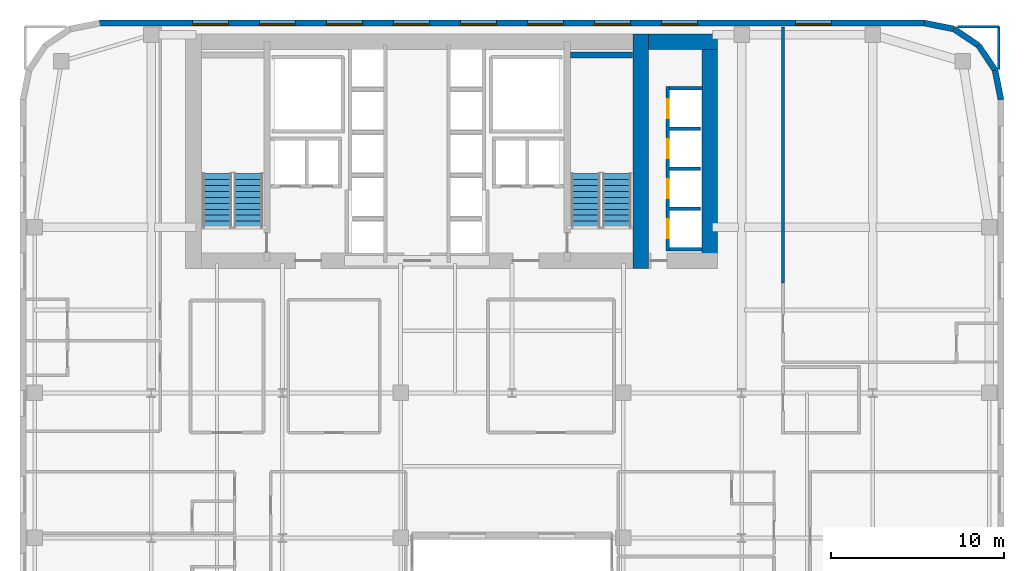
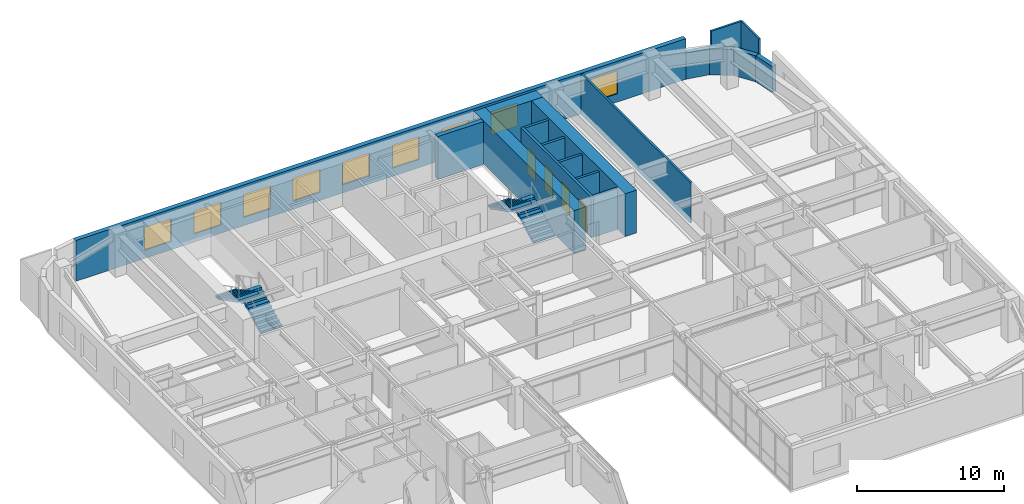
# One storey, part 15 of 16: 18 walls, 9 windows, 4 doors, 4 stair flights, 13 openings, 2 elements without a shape of their own.
"""IFC4 building model written with IfcOpenShell, lengths in metres."""

from ifc_helpers import new_model, si_unit, direction, frame, frame_2d, origin, place, context, subcontext, project, spatial, polyline, rectangle, outline, extrude, source, transform, mapped, material, layer, layer_set, type_object, type_shapes, element, fill, aggregate, save


model = new_model("IFC4")

# Units and contexts
model_context = context("Model", 3, precision=1e-05, world=origin(), true_north=direction((0.0, 1.0)))
body_context = subcontext(model_context, "Body", "Model", "MODEL_VIEW")
ifc_project = project(units=[si_unit("LENGTHUNIT", "METRE"), si_unit("AREAUNIT", "SQUARE_METRE"), si_unit("VOLUMEUNIT", "CUBIC_METRE"), si_unit("PLANEANGLEUNIT", "RADIAN"), si_unit("MASSUNIT", "GRAM", prefix="KILO")], contexts=[model_context])

# Site, building, storey
site_placement = place(None, origin())
site = spatial("IfcSite", under=ifc_project, at=site_placement, CompositionType="ELEMENT")
building_placement = place(site_placement, origin())
building = spatial("IfcBuilding", under=site, at=building_placement, Name="Tolvann Quenvar Hotel", CompositionType="ELEMENT")
storey_placement = place(building_placement, frame((0.0, 0.0, 85.25)))
storey = spatial("IfcBuildingStorey", under=building, at=storey_placement, Name="L21", CompositionType="ELEMENT", Elevation=85.25)

# Walls
ifc_material_1 = material(Name="Concrete S80 (80 MPa)", Category="concrete")
ifc_layer_1 = layer(ifc_material_1, 0.89990234375)
ifc_layer_set_1 = layer_set([ifc_layer_1], Name="Concrete S80 (80 MPa)")
wall_type_1 = type_object("IfcWallType", Name="WALL_CORE_900", PredefinedType="SHEAR", material=ifc_layer_set_1)
wall_1_placement = place(storey_placement, frame((35.949951171875, 31.60009765625, 0.0), z_axis=(0.0, 0.0, 1.0), x_axis=(0.0, 1.0, 0.0)))
element("IfcWall", 1, at=wall_1_placement, inside=storey, type_object=wall_type_1, Name="Rear Core E Shear Wall (L21)", PredefinedType="SHEAR", context=body_context, shape_type="SweptSolid", body=[
    extrude(rectangle(XDim=13.599853515625, YDim=0.89990234375, at=frame_2d((6.7998046875, 0.0))), origin(), (0.0, 0.0, 1.0), 3.550048828125),
])
wall_2_placement = place(storey_placement, frame((36.39990234375, 44.75, 0.0), z_axis=(0.0, 0.0, 1.0), x_axis=(1.0, 0.0, 0.0)))
element("IfcWall", 2, at=wall_2_placement, inside=storey, type_object=wall_type_1, Name="Core East Annex Shear Wall ANN-N (L21)", PredefinedType="SHEAR", context=body_context, shape_type="SweptSolid", body=[
    extrude(rectangle(XDim=4.0, YDim=0.89990234375, at=frame_2d((2.0, 0.0))), origin(), (0.0, 0.0, 1.0), 3.550048828125),
])
wall_3_placement = place(storey_placement, frame((39.949951171875, 31.60009765625, 0.0), z_axis=(0.0, 0.0, 1.0), x_axis=(0.0, 1.0, 0.0)))
element("IfcWall", 3, at=wall_3_placement, inside=storey, type_object=wall_type_1, Name="Core East Annex Shear Wall ANN-E (L21)", PredefinedType="SHEAR", context=body_context, shape_type="SweptSolid", body=[
    extrude(rectangle(XDim=13.599853515625, YDim=0.89990234375, at=frame_2d((6.7998046875, 0.0))), origin(), (0.0, 0.0, 1.0), 3.550048828125),
])
ifc_material_2 = material(Name="Concrete S65 (65 MPa)", Category="concrete")
ifc_layer_2 = layer(ifc_material_2, 0.35009765625)
ifc_layer_set_2 = layer_set([ifc_layer_2], Name="Concrete S65 (65 MPa)")
wall_type_2 = type_object("IfcWallType", Name="WALL_CORE_INT_350", PredefinedType="SHEAR", material=ifc_layer_set_2)
wall_4_placement = place(storey_placement, frame((31.8798828125, 43.97509765625, 0.0), z_axis=(0.0, 0.0, 1.0), x_axis=(1.0, 0.0, 0.0)))
element("IfcWall", 4, at=wall_4_placement, inside=storey, type_object=wall_type_2, Name="Core Stair North Closing Shear Wall STC2-N (L21)", PredefinedType="SHEAR", context=body_context, shape_type="SweptSolid", body=[
    extrude(rectangle(XDim=3.60009765625, YDim=0.35009765625, at=frame_2d((1.800048828125, 0.0))), origin(), (0.0, 0.0, 1.0), 3.550048828125),
])
ifc_material_3 = material(Name="Kiln-fired red and buff architectural clay brickwork and terracotta masonry", Category="masonry")
ifc_layer_3 = layer(ifc_material_3, 0.35009765625)
ifc_layer_set_3 = layer_set([ifc_layer_3], Name="Kiln-fired red and buff architectural clay brickwork and terracotta masonry")
wall_type_3 = type_object("IfcWallType", Name="WALL_EXT_BRICK_350", PredefinedType="SOLIDWALL", material=ifc_layer_set_3)
wall_5_placement = place(storey_placement, frame((56.824951171875, 41.3828125, 0.0), z_axis=(0.0, 0.0, 1.0), x_axis=(-0.195011420161, 0.980800971659, 0.0)))
element("IfcWall", 5, at=wall_5_placement, inside=storey, type_object=wall_type_3, Name="Exterior Chicago Brick Wall L21-E14", PredefinedType="SOLIDWALL", context=body_context, shape_type="SweptSolid", body=[
    extrude(rectangle(XDim=1.74267578125, YDim=0.35009765625, at=frame_2d((0.871337890625, 0.0))), origin(), (0.0, 0.0, 1.0), 2.159912109375),
])
for number, where, z_axis, x_axis, name in (
    (6, (56.485107421875, 43.092041015625, 0.0), (0.0, 0.0, 1.0), (-0.55554893791, 0.831483840845, 0.0), "Exterior Chicago Brick Wall L21-E15"),
    (7, (55.526611328125, 44.526611328125, 0.0), (0.0, 0.0, 1.0), (-0.831483840845, 0.55554893791, 0.0), "Exterior Chicago Brick Wall L21-E16"),
):
    element("IfcWall", number, at=place(storey_placement, frame(where, z_axis=z_axis, x_axis=x_axis)), inside=storey, type_object=wall_type_3, Name=name, PredefinedType="SOLIDWALL", context=body_context, shape_type="SweptSolid", body=[
        extrude(rectangle(XDim=1.725341796875, YDim=0.35009765625, at=frame_2d((0.86279296875, 0.0))), origin(), (0.0, 0.0, 1.0), 2.159912109375),
    ])
wall_6_placement = place(storey_placement, frame((54.092041015625, 45.485107421875, 0.0), z_axis=(0.0, 0.0, 1.0), x_axis=(-0.980800971659, 0.195011420161, 0.0)))
element("IfcWall", 8, at=wall_6_placement, inside=storey, type_object=wall_type_3, Name="Exterior Chicago Brick Wall L21-E17", PredefinedType="SOLIDWALL", context=body_context, shape_type="SweptSolid", body=[
    extrude(rectangle(XDim=1.74267578125, YDim=0.35009765625, at=frame_2d((0.871337890625, 0.0))), origin(), (0.0, 0.0, 1.0), 2.159912109375),
])

# Wall, openings, windows
wall_7_placement = place(storey_placement, frame((52.3828125, 45.824951171875, 0.0), z_axis=(0.0, 0.0, 1.0), x_axis=(-1.0, 0.0, 0.0)))
wall_7 = element("IfcWall", 9, at=wall_7_placement, inside=storey, type_object=wall_type_3, Name="Exterior Chicago Brick Wall L21-E18", PredefinedType="SOLIDWALL", context=body_context, shape_type="SweptSolid", body=[
    extrude(rectangle(XDim=47.765625, YDim=0.35009765625, at=frame_2d((23.8828125, 0.0))), origin(), (0.0, 0.0, 1.0), 3.3701171875),
])
opening_1_placement = place(wall_7_placement, frame((5.37109375, 0.0, 0.679931640625)))
opening_1 = element("IfcOpeningElement", 10, at=opening_1_placement, cuts=wall_7, Name="Opening W-02", PredefinedType="OPENING", context=body_context, shape_type="SweptSolid", body=[
    extrude(rectangle(XDim=2.10009765625, YDim=1.89990234375, at=frame_2d((1.050048828125, 0.949951171875))), frame((0.0, 0.18505859375, 0.0), z_axis=(0.0, -1.0, 0.0), x_axis=(1.0, 0.0, 0.0)), (0.0, 0.0, 1.0), 0.3701171875),
])
opening_2_placement = place(wall_7_placement, frame((13.132080078125, 0.0, 0.679931640625)))
opening_2 = element("IfcOpeningElement", 11, at=opening_2_placement, cuts=wall_7, Name="Opening W-02", PredefinedType="OPENING", context=body_context, shape_type="SweptSolid", body=[
    extrude(rectangle(XDim=2.10009765625, YDim=1.89990234375, at=frame_2d((1.050048828125, 0.949951171875))), frame((0.0, 0.18505859375, 0.0), z_axis=(0.0, -1.0, 0.0), x_axis=(1.0, 0.0, 0.0)), (0.0, 0.0, 1.0), 0.3701171875),
])
opening_3_placement = place(wall_7_placement, frame((17.011962890625, 0.0, 0.679931640625)))
opening_3 = element("IfcOpeningElement", 12, at=opening_3_placement, cuts=wall_7, Name="Opening W-02", PredefinedType="OPENING", context=body_context, shape_type="SweptSolid", body=[
    extrude(rectangle(XDim=2.10009765625, YDim=1.89990234375, at=frame_2d((1.050048828125, 0.949951171875))), frame((0.0, 0.18505859375, 0.0), z_axis=(0.0, -1.0, 0.0), x_axis=(1.0, 0.0, 0.0)), (0.0, 0.0, 1.0), 0.3701171875),
])
opening_4_placement = place(wall_7_placement, frame((20.89306640625, 0.0, 0.679931640625)))
opening_4 = element("IfcOpeningElement", 13, at=opening_4_placement, cuts=wall_7, Name="Opening W-02", PredefinedType="OPENING", context=body_context, shape_type="SweptSolid", body=[
    extrude(rectangle(XDim=2.10009765625, YDim=1.89990234375, at=frame_2d((1.050048828125, 0.949951171875))), frame((0.0, 0.18505859375, 0.0), z_axis=(0.0, -1.0, 0.0), x_axis=(1.0, 0.0, 0.0)), (0.0, 0.0, 1.0), 0.3701171875),
])
opening_5_placement = place(wall_7_placement, frame((24.77294921875, 0.0, 0.679931640625)))
opening_5 = element("IfcOpeningElement", 14, at=opening_5_placement, cuts=wall_7, Name="Opening W-02", PredefinedType="OPENING", context=body_context, shape_type="SweptSolid", body=[
    extrude(rectangle(XDim=2.10009765625, YDim=1.89990234375, at=frame_2d((1.050048828125, 0.949951171875))), frame((0.0, 0.18505859375, 0.0), z_axis=(0.0, -1.0, 0.0), x_axis=(1.0, 0.0, 0.0)), (0.0, 0.0, 1.0), 0.3701171875),
])
opening_6_placement = place(wall_7_placement, frame((28.654052734375, 0.0, 0.679931640625)))
opening_6 = element("IfcOpeningElement", 15, at=opening_6_placement, cuts=wall_7, Name="Opening W-02", PredefinedType="OPENING", context=body_context, shape_type="SweptSolid", body=[
    extrude(rectangle(XDim=2.10009765625, YDim=1.89990234375, at=frame_2d((1.050048828125, 0.949951171875))), frame((0.0, 0.18505859375, 0.0), z_axis=(0.0, -1.0, 0.0), x_axis=(1.0, 0.0, 0.0)), (0.0, 0.0, 1.0), 0.3701171875),
])
opening_7_placement = place(wall_7_placement, frame((32.533935546875, 0.0, 0.679931640625)))
opening_7 = element("IfcOpeningElement", 16, at=opening_7_placement, cuts=wall_7, Name="Opening W-02", PredefinedType="OPENING", context=body_context, shape_type="SweptSolid", body=[
    extrude(rectangle(XDim=2.10009765625, YDim=1.89990234375, at=frame_2d((1.050048828125, 0.949951171875))), frame((0.0, 0.18505859375, 0.0), z_axis=(0.0, -1.0, 0.0), x_axis=(1.0, 0.0, 0.0)), (0.0, 0.0, 1.0), 0.3701171875),
])
opening_8_placement = place(wall_7_placement, frame((36.4140625, 0.0, 0.679931640625)))
opening_8 = element("IfcOpeningElement", 17, at=opening_8_placement, cuts=wall_7, Name="Opening W-02", PredefinedType="OPENING", context=body_context, shape_type="SweptSolid", body=[
    extrude(rectangle(XDim=2.10009765625, YDim=1.89990234375, at=frame_2d((1.050048828125, 0.949951171875))), frame((0.0, 0.18505859375, 0.0), z_axis=(0.0, -1.0, 0.0), x_axis=(1.0, 0.0, 0.0)), (0.0, 0.0, 1.0), 0.3701171875),
])
opening_9_placement = place(wall_7_placement, frame((40.294921875, 0.0, 0.679931640625)))
opening_9 = element("IfcOpeningElement", 18, at=opening_9_placement, cuts=wall_7, Name="Opening W-02", PredefinedType="OPENING", context=body_context, shape_type="SweptSolid", body=[
    extrude(rectangle(XDim=2.10009765625, YDim=1.89990234375, at=frame_2d((1.050048828125, 0.949951171875))), frame((0.0, 0.18505859375, 0.0), z_axis=(0.0, -1.0, 0.0), x_axis=(1.0, 0.0, 0.0)), (0.0, 0.0, 1.0), 0.3701171875),
])
ifc_material_4 = material(Name="Thermally broken bronze-anodised aluminium frame with double low-E glazing", Category="aluminium")
window_type = type_object("IfcWindowType", Name="WIN_CHI_2100x2050", PartitioningType="TRIPLE_PANEL_HORIZONTAL", PredefinedType="WINDOW", material=ifc_material_4)
shared_shape_1 = source(origin(), body_context, "Body", "SweptSolid", [
    extrude(rectangle(XDim=2.10009765625, YDim=1.89990234375, at=frame_2d((1.050048828125, 0.949951171875))), frame((0.0, 0.090087890625, 0.0), z_axis=(0.0, -1.0, 0.0), x_axis=(1.0, 0.0, 0.0)), (0.0, 0.0, 1.0), 0.06005859375),
])
type_shapes(window_type, [shared_shape_1])
window_1_placement = place(opening_1_placement, origin())
window_1 = element("IfcWindow", 19, at=window_1_placement, inside=storey, type_object=window_type, Name="Chicago Window W-02 (EW-L21-E18-W01)", OverallHeight=1.89990234375, OverallWidth=2.10009765625, PartitioningType="TRIPLE_PANEL_HORIZONTAL", PredefinedType="WINDOW", context=body_context, shape_type="MappedRepresentation", body=[
    mapped(shared_shape_1, transform((0.0, 0.0, 0.0), x_axis=(1.0, 0.0, 0.0), y_axis=(0.0, 1.0, 0.0), z_axis=(0.0, 0.0, 1.0), scale=1.0)),
])
fill(opening_1, window_1)
window_2_placement = place(opening_2_placement, origin())
window_2 = element("IfcWindow", 20, at=window_2_placement, inside=storey, type_object=window_type, Name="Chicago Window W-02 (EW-L21-E18-W02)", OverallHeight=1.89990234375, OverallWidth=2.10009765625, PartitioningType="TRIPLE_PANEL_HORIZONTAL", PredefinedType="WINDOW", context=body_context, shape_type="MappedRepresentation", body=[
    mapped(shared_shape_1, transform((0.0, 0.0, 0.0), x_axis=(1.0, 0.0, 0.0), y_axis=(0.0, 1.0, 0.0), z_axis=(0.0, 0.0, 1.0), scale=1.0)),
])
fill(opening_2, window_2)
window_3_placement = place(opening_3_placement, origin())
window_3 = element("IfcWindow", 21, at=window_3_placement, inside=storey, type_object=window_type, Name="Chicago Window W-02 (EW-L21-E18-W03)", OverallHeight=1.89990234375, OverallWidth=2.10009765625, PartitioningType="TRIPLE_PANEL_HORIZONTAL", PredefinedType="WINDOW", context=body_context, shape_type="MappedRepresentation", body=[
    mapped(shared_shape_1, transform((0.0, 0.0, 0.0), x_axis=(1.0, 0.0, 0.0), y_axis=(0.0, 1.0, 0.0), z_axis=(0.0, 0.0, 1.0), scale=1.0)),
])
fill(opening_3, window_3)
window_4_placement = place(opening_4_placement, origin())
window_4 = element("IfcWindow", 22, at=window_4_placement, inside=storey, type_object=window_type, Name="Chicago Window W-02 (EW-L21-E18-W04)", OverallHeight=1.89990234375, OverallWidth=2.10009765625, PartitioningType="TRIPLE_PANEL_HORIZONTAL", PredefinedType="WINDOW", context=body_context, shape_type="MappedRepresentation", body=[
    mapped(shared_shape_1, transform((0.0, 0.0, 0.0), x_axis=(1.0, 0.0, 0.0), y_axis=(0.0, 1.0, 0.0), z_axis=(0.0, 0.0, 1.0), scale=1.0)),
])
fill(opening_4, window_4)
window_5_placement = place(opening_5_placement, origin())
window_5 = element("IfcWindow", 23, at=window_5_placement, inside=storey, type_object=window_type, Name="Chicago Window W-02 (EW-L21-E18-W05)", OverallHeight=1.89990234375, OverallWidth=2.10009765625, PartitioningType="TRIPLE_PANEL_HORIZONTAL", PredefinedType="WINDOW", context=body_context, shape_type="MappedRepresentation", body=[
    mapped(shared_shape_1, transform((0.0, 0.0, 0.0), x_axis=(1.0, 0.0, 0.0), y_axis=(0.0, 1.0, 0.0), z_axis=(0.0, 0.0, 1.0), scale=1.0)),
])
fill(opening_5, window_5)
window_6_placement = place(opening_6_placement, origin())
window_6 = element("IfcWindow", 24, at=window_6_placement, inside=storey, type_object=window_type, Name="Chicago Window W-02 (EW-L21-E18-W06)", OverallHeight=1.89990234375, OverallWidth=2.10009765625, PartitioningType="TRIPLE_PANEL_HORIZONTAL", PredefinedType="WINDOW", context=body_context, shape_type="MappedRepresentation", body=[
    mapped(shared_shape_1, transform((0.0, 0.0, 0.0), x_axis=(1.0, 0.0, 0.0), y_axis=(0.0, 1.0, 0.0), z_axis=(0.0, 0.0, 1.0), scale=1.0)),
])
fill(opening_6, window_6)
window_7_placement = place(opening_7_placement, origin())
window_7 = element("IfcWindow", 25, at=window_7_placement, inside=storey, type_object=window_type, Name="Chicago Window W-02 (EW-L21-E18-W07)", OverallHeight=1.89990234375, OverallWidth=2.10009765625, PartitioningType="TRIPLE_PANEL_HORIZONTAL", PredefinedType="WINDOW", context=body_context, shape_type="MappedRepresentation", body=[
    mapped(shared_shape_1, transform((0.0, 0.0, 0.0), x_axis=(1.0, 0.0, 0.0), y_axis=(0.0, 1.0, 0.0), z_axis=(0.0, 0.0, 1.0), scale=1.0)),
])
fill(opening_7, window_7)
window_8_placement = place(opening_8_placement, origin())
window_8 = element("IfcWindow", 26, at=window_8_placement, inside=storey, type_object=window_type, Name="Chicago Window W-02 (EW-L21-E18-W08)", OverallHeight=1.89990234375, OverallWidth=2.10009765625, PartitioningType="TRIPLE_PANEL_HORIZONTAL", PredefinedType="WINDOW", context=body_context, shape_type="MappedRepresentation", body=[
    mapped(shared_shape_1, transform((0.0, 0.0, 0.0), x_axis=(1.0, 0.0, 0.0), y_axis=(0.0, 1.0, 0.0), z_axis=(0.0, 0.0, 1.0), scale=1.0)),
])
fill(opening_8, window_8)
window_9_placement = place(opening_9_placement, origin())
window_9 = element("IfcWindow", 27, at=window_9_placement, inside=storey, type_object=window_type, Name="Chicago Window W-02 (EW-L21-E18-W09)", OverallHeight=1.89990234375, OverallWidth=2.10009765625, PartitioningType="TRIPLE_PANEL_HORIZONTAL", PredefinedType="WINDOW", context=body_context, shape_type="MappedRepresentation", body=[
    mapped(shared_shape_1, transform((0.0, 0.0, 0.0), x_axis=(1.0, 0.0, 0.0), y_axis=(0.0, 1.0, 0.0), z_axis=(0.0, 0.0, 1.0), scale=1.0)),
])
fill(opening_9, window_9)

# Walls
ifc_material_5 = material(Name="Acoustic twin-stud fire-rated gypsum plasterboard partition")
ifc_layer_4 = layer(ifc_material_5, 0.14990234375)
ifc_layer_set_4 = layer_set([ifc_layer_4], Name="Acoustic twin-stud fire-rated gypsum plasterboard partition")
wall_type_4 = type_object("IfcWallType", Name="WALL_PART_SUITE_150", PredefinedType="PARTITIONING", material=ifc_layer_set_4)
wall_8_placement = place(storey_placement, frame((56.699951171875, 43.135009765625, 0.0), z_axis=(0.0, 0.0, 1.0), x_axis=(0.0, 1.0, 0.0)))
element("IfcWall", 28, at=wall_8_placement, inside=storey, type_object=wall_type_4, Name="Interior Partition PT-SPC-L21-RM-NE01-E4", PredefinedType="PARTITIONING", context=body_context, shape_type="SweptSolid", body=[
    extrude(rectangle(XDim=2.485107421875, YDim=0.14990234375, at=frame_2d((1.24267578125, 0.0))), origin(), (0.0, 0.0, 1.0), 3.3701171875),
])
wall_9_placement = place(storey_placement, frame((54.303955078125, 45.6201171875, 0.0), z_axis=(0.0, 0.0, 1.0), x_axis=(1.0, 0.0, 0.0)))
element("IfcWall", 29, at=wall_9_placement, inside=storey, type_object=wall_type_4, Name="Interior Partition PT-SPC-L21-RM-NE01-E5", PredefinedType="PARTITIONING", context=body_context, shape_type="SweptSolid", body=[
    extrude(rectangle(XDim=2.39599609375, YDim=0.14990234375, at=frame_2d((1.197998046875, 0.0))), origin(), (0.0, 0.0, 1.0), 3.3701171875),
])
wall_10_placement = place(storey_placement, frame((44.199951171875, 30.77001953125, 0.0), z_axis=(0.0, 0.0, 1.0), x_axis=(0.0, 1.0, 0.0)))
element("IfcWall", 30, at=wall_10_placement, inside=storey, type_object=wall_type_4, Name="Interior Partition PT-SPC-L21-RM-NE01-E6", PredefinedType="PARTITIONING", context=body_context, shape_type="SweptSolid", body=[
    extrude(rectangle(XDim=14.824951171875, YDim=0.14990234375, at=frame_2d((7.41259765625, 0.0))), origin(), (0.0, 0.0, 1.0), 3.3701171875),
])

# Wall, openings, doors
ifc_material_6 = material(Name="Concrete N40 (40 MPa)", Category="concrete")
ifc_layer_5 = layer(ifc_material_6, 0.199951171875)
ifc_layer_set_5 = layer_set([ifc_layer_5], Name="Concrete N40 (40 MPa)")
wall_type_5 = type_object("IfcWallType", Name="WALL_SHAFT_200", PredefinedType="SOLIDWALL", material=ifc_layer_set_5)
wall_11_placement = place(storey_placement, frame((37.530029296875, 32.610107421875, 0.0), z_axis=(0.0, 0.0, 1.0), x_axis=(0.0, 1.0, 0.0)))
wall_11 = element("IfcWall", 31, at=wall_11_placement, inside=storey, type_object=wall_type_5, Name="Lift Bank W37.6C1 Hoistway Front Wall (L21)", PredefinedType="SOLIDWALL", context=body_context, shape_type="SweptSolid", body=[
    extrude(rectangle(XDim=9.539794921875, YDim=0.199951171875, at=frame_2d((4.77001953125, 0.0))), origin(), (0.0, 0.0, 1.0), 3.3701171875),
])
opening_10_placement = place(wall_11_placement, frame((0.739990234375, 0.0, 0.0)))
opening_10 = element("IfcOpeningElement", 32, at=opening_10_placement, cuts=wall_11, Name="Opening LD-01", PredefinedType="OPENING", context=body_context, shape_type="SweptSolid", body=[
    extrude(rectangle(XDim=1.10009765625, YDim=2.1201171875, at=frame_2d((0.550048828125, 1.06005859375))), frame((0.0, 0.10986328125, 0.0), z_axis=(0.0, -1.0, 0.0), x_axis=(1.0, 0.0, 0.0)), (0.0, 0.0, 1.0), 0.219970703125),
])
opening_11_placement = place(wall_11_placement, frame((3.06005859375, 0.0, 0.0)))
opening_11 = element("IfcOpeningElement", 33, at=opening_11_placement, cuts=wall_11, Name="Opening LD-01", PredefinedType="OPENING", context=body_context, shape_type="SweptSolid", body=[
    extrude(rectangle(XDim=1.10009765625, YDim=2.1201171875, at=frame_2d((0.550048828125, 1.06005859375))), frame((0.0, 0.10986328125, 0.0), z_axis=(0.0, -1.0, 0.0), x_axis=(1.0, 0.0, 0.0)), (0.0, 0.0, 1.0), 0.219970703125),
])
opening_12_placement = place(wall_11_placement, frame((5.3798828125, 0.0, 0.0)))
opening_12 = element("IfcOpeningElement", 34, at=opening_12_placement, cuts=wall_11, Name="Opening LD-01", PredefinedType="OPENING", context=body_context, shape_type="SweptSolid", body=[
    extrude(rectangle(XDim=1.10009765625, YDim=2.1201171875, at=frame_2d((0.550048828125, 1.06005859375))), frame((0.0, 0.10986328125, 0.0), z_axis=(0.0, -1.0, 0.0), x_axis=(1.0, 0.0, 0.0)), (0.0, 0.0, 1.0), 0.219970703125),
])
opening_13_placement = place(wall_11_placement, frame((7.699951171875, 0.0, 0.0)))
opening_13 = element("IfcOpeningElement", 35, at=opening_13_placement, cuts=wall_11, Name="Opening LD-01", PredefinedType="OPENING", context=body_context, shape_type="SweptSolid", body=[
    extrude(rectangle(XDim=1.10009765625, YDim=2.1201171875, at=frame_2d((0.550048828125, 1.06005859375))), frame((0.0, 0.10986328125, 0.0), z_axis=(0.0, -1.0, 0.0), x_axis=(1.0, 0.0, 0.0)), (0.0, 0.0, 1.0), 0.219970703125),
])
ifc_material_7 = material(Name="Brushed 316 stainless steel automatic sliding lift landing door", Category="steel")
door_type = type_object("IfcDoorType", Name="DOOR_LIFT_SLIDE_1100", OperationType="NOTDEFINED", PredefinedType="DOOR", material=ifc_material_7)
shared_shape_2 = source(origin(), body_context, "Body", "SweptSolid", [
    extrude(rectangle(XDim=1.10009765625, YDim=2.1201171875, at=frame_2d((0.550048828125, 1.06005859375))), frame((0.0, 0.02490234375, 0.0), z_axis=(0.0, -1.0, 0.0), x_axis=(1.0, 0.0, 0.0)), (0.0, 0.0, 1.0), 0.050048828125),
])
type_shapes(door_type, [shared_shape_2])
door_1_placement = place(opening_10_placement, origin())
door_1 = element("IfcDoor", 36, at=door_1_placement, inside=storey, type_object=door_type, Name="Lift PL-1 Sliding Landing Door (L21)", OperationType="SLIDING_TO_LEFT", OverallHeight=2.1201171875, OverallWidth=1.10009765625, PredefinedType="DOOR", context=body_context, shape_type="MappedRepresentation", body=[
    mapped(shared_shape_2, transform((0.0, 0.0, 0.0), x_axis=(1.0, 0.0, 0.0), y_axis=(0.0, 1.0, 0.0), z_axis=(0.0, 0.0, 1.0), scale=1.0)),
])
fill(opening_10, door_1)
door_2_placement = place(opening_11_placement, origin())
door_2 = element("IfcDoor", 37, at=door_2_placement, inside=storey, type_object=door_type, Name="Lift PL-2 Sliding Landing Door (L21)", OperationType="SLIDING_TO_RIGHT", OverallHeight=2.1201171875, OverallWidth=1.10009765625, PredefinedType="DOOR", context=body_context, shape_type="MappedRepresentation", body=[
    mapped(shared_shape_2, transform((0.0, 0.0, 0.0), x_axis=(1.0, 0.0, 0.0), y_axis=(0.0, 1.0, 0.0), z_axis=(0.0, 0.0, 1.0), scale=1.0)),
])
fill(opening_11, door_2)
door_3_placement = place(opening_12_placement, origin())
door_3 = element("IfcDoor", 38, at=door_3_placement, inside=storey, type_object=door_type, Name="Lift PL-3 Sliding Landing Door (L21)", OperationType="SLIDING_TO_LEFT", OverallHeight=2.1201171875, OverallWidth=1.10009765625, PredefinedType="DOOR", context=body_context, shape_type="MappedRepresentation", body=[
    mapped(shared_shape_2, transform((0.0, 0.0, 0.0), x_axis=(1.0, 0.0, 0.0), y_axis=(0.0, 1.0, 0.0), z_axis=(0.0, 0.0, 1.0), scale=1.0)),
])
fill(opening_12, door_3)
door_4_placement = place(opening_13_placement, origin())
door_4 = element("IfcDoor", 39, at=door_4_placement, inside=storey, type_object=door_type, Name="Lift PL-4 Sliding Landing Door (L21)", OperationType="SLIDING_TO_RIGHT", OverallHeight=2.1201171875, OverallWidth=1.10009765625, PredefinedType="DOOR", context=body_context, shape_type="MappedRepresentation", body=[
    mapped(shared_shape_2, transform((0.0, 0.0, 0.0), x_axis=(1.0, 0.0, 0.0), y_axis=(0.0, 1.0, 0.0), z_axis=(0.0, 0.0, 1.0), scale=1.0)),
])
fill(opening_13, door_4)

# Walls
for number, where, z_axis, x_axis, name in (
    (40, (37.6298828125, 32.7099609375, 0.0), (0.0, 0.0, 1.0), (1.0, 0.0, 0.0), "Lift Bank W37.6C1 Hoistway Cheek Wall 1 (L21)"),
    (41, (37.6298828125, 42.050048828125, 0.0), (0.0, 0.0, 1.0), (1.0, 0.0, 0.0), "Lift Bank W37.6C1 Hoistway Cheek Wall 2 (L21)"),
):
    element("IfcWall", number, at=place(storey_placement, frame(where, z_axis=z_axis, x_axis=x_axis)), inside=storey, type_object=wall_type_5, Name=name, PredefinedType="SOLIDWALL", context=body_context, shape_type="SweptSolid", body=[
        extrude(rectangle(XDim=1.8701171875, YDim=0.199951171875, at=frame_2d((0.93505859375, 0.0))), origin(), (0.0, 0.0, 1.0), 3.3701171875),
    ])
for number, where, z_axis, x_axis, name in (
    (42, (37.6298828125, 35.06005859375, 0.0), (0.0, 0.0, 1.0), (1.0, 0.0, 0.0), "Lift Bank W37.6C1 Divider Wall 1 (L21)"),
    (43, (37.6298828125, 37.3798828125, 0.0), (0.0, 0.0, 1.0), (1.0, 0.0, 0.0), "Lift Bank W37.6C1 Divider Wall 2 (L21)"),
    (44, (37.6298828125, 39.699951171875, 0.0), (0.0, 0.0, 1.0), (1.0, 0.0, 0.0), "Lift Bank W37.6C1 Divider Wall 3 (L21)"),
):
    element("IfcWall", number, at=place(storey_placement, frame(where, z_axis=z_axis, x_axis=x_axis)), inside=storey, type_object=wall_type_5, Name=name, PredefinedType="SOLIDWALL", context=body_context, shape_type="SweptSolid", body=[
        extrude(rectangle(XDim=1.800048828125, YDim=0.199951171875, at=frame_2d((0.89990234375, 0.0))), origin(), (0.0, 0.0, 1.0), 3.3701171875),
    ])

# Stair, stair flights
stair_type = type_object("IfcStairType", Name="STAIR", PredefinedType="HALF_TURN_STAIR", material=ifc_material_6)
stair_1_placement = place(storey_placement, origin())
stair_1 = element("IfcStair", 45, at=stair_1_placement, inside=storey, type_object=stair_type, Name="L21 ST-C1", PredefinedType="HALF_TURN_STAIR")
stair_flight_type = type_object("IfcStairFlightType", Name="STAIR_FLIGHT", PredefinedType="STRAIGHT", material=ifc_material_6)
stair_flight_1_placement = place(storey_placement, frame((13.22509765625, 34.0, 0.0), z_axis=(0.0, 0.0, 1.0), x_axis=(0.0, 1.0, 0.0)))
stair_flight_1 = element("IfcStairFlight", 46, at=stair_flight_1_placement, type_object=stair_flight_type, Name="ST-C1 flight 1", NumberOfRisers=10, NumberOfTreads=9, PredefinedType="STRAIGHT", RiserHeight=0.1775, TreadLength=0.345, context=body_context, shape_type="SweptSolid", body=[
    extrude(outline(polyline([(0.0, 0.0), (0.0, 0.177490234375), (0.344970703125, 0.177490234375), (0.344970703125, 0.35498046875), (0.68994140625, 0.35498046875), (0.68994140625, 0.532470703125), (1.034912109375, 0.532470703125), (1.034912109375, 0.7099609375), (1.3798828125, 0.7099609375), (1.3798828125, 0.887451171875), (1.72509765625, 0.887451171875), (1.72509765625, 1.06494140625), (2.070068359375, 1.06494140625), (2.070068359375, 1.242431640625), (2.4150390625, 1.242431640625), (2.4150390625, 1.419921875), (2.760009765625, 1.419921875), (2.760009765625, 1.597412109375), (3.10498046875, 1.597412109375), (3.10498046875, 1.77490234375), (3.10498046875, 1.428955078125), (0.32763671875, 0.0), (0.0, 0.0)])), frame((0.0, 0.824951171875, 0.0), z_axis=(0.0, -1.0, 0.0), x_axis=(1.0, 0.0, 0.0)), (0.0, 0.0, 1.0), 1.64990234375),
])
stair_flight_2_placement = place(storey_placement, frame((11.425048828125, 37.10498046875, 1.77490234375), z_axis=(0.0, 0.0, 1.0), x_axis=(0.0, -1.0, 0.0)))
stair_flight_2 = element("IfcStairFlight", 47, at=stair_flight_2_placement, type_object=stair_flight_type, Name="ST-C1 flight 2", NumberOfRisers=10, NumberOfTreads=9, PredefinedType="STRAIGHT", RiserHeight=0.1775, TreadLength=0.345, context=body_context, shape_type="SweptSolid", body=[
    extrude(outline(polyline([(0.0, 0.0), (0.0, 0.177490234375), (0.344970703125, 0.177490234375), (0.344970703125, 0.35498046875), (0.68994140625, 0.35498046875), (0.68994140625, 0.532470703125), (1.034912109375, 0.532470703125), (1.034912109375, 0.7099609375), (1.3798828125, 0.7099609375), (1.3798828125, 0.887451171875), (1.72509765625, 0.887451171875), (1.72509765625, 1.06494140625), (2.070068359375, 1.06494140625), (2.070068359375, 1.242431640625), (2.4150390625, 1.242431640625), (2.4150390625, 1.419921875), (2.760009765625, 1.419921875), (2.760009765625, 1.597412109375), (3.10498046875, 1.597412109375), (3.10498046875, 1.77490234375), (3.10498046875, 1.428955078125), (0.32763671875, 0.0), (0.0, 0.0)])), frame((0.0, 0.824951171875, 0.0), z_axis=(0.0, -1.0, 0.0), x_axis=(1.0, 0.0, 0.0)), (0.0, 0.0, 1.0), 1.64990234375),
])
aggregate(stair_1, [stair_flight_1, stair_flight_2])

stair_2_placement = place(storey_placement, origin())
stair_2 = element("IfcStair", 48, at=stair_2_placement, inside=storey, type_object=stair_type, Name="L21 ST-C2", PredefinedType="HALF_TURN_STAIR")
stair_flight_3_placement = place(storey_placement, frame((34.574951171875, 34.0, 0.0), z_axis=(0.0, 0.0, 1.0), x_axis=(0.0, 1.0, 0.0)))
stair_flight_3 = element("IfcStairFlight", 49, at=stair_flight_3_placement, type_object=stair_flight_type, Name="ST-C2 flight 1", NumberOfRisers=10, NumberOfTreads=9, PredefinedType="STRAIGHT", RiserHeight=0.1775, TreadLength=0.345, context=body_context, shape_type="SweptSolid", body=[
    extrude(outline(polyline([(0.0, 0.0), (0.0, 0.177490234375), (0.344970703125, 0.177490234375), (0.344970703125, 0.35498046875), (0.68994140625, 0.35498046875), (0.68994140625, 0.532470703125), (1.034912109375, 0.532470703125), (1.034912109375, 0.7099609375), (1.3798828125, 0.7099609375), (1.3798828125, 0.887451171875), (1.72509765625, 0.887451171875), (1.72509765625, 1.06494140625), (2.070068359375, 1.06494140625), (2.070068359375, 1.242431640625), (2.4150390625, 1.242431640625), (2.4150390625, 1.419921875), (2.760009765625, 1.419921875), (2.760009765625, 1.597412109375), (3.10498046875, 1.597412109375), (3.10498046875, 1.77490234375), (3.10498046875, 1.428955078125), (0.32763671875, 0.0), (0.0, 0.0)])), frame((0.0, 0.824951171875, 0.0), z_axis=(0.0, -1.0, 0.0), x_axis=(1.0, 0.0, 0.0)), (0.0, 0.0, 1.0), 1.64990234375),
])
stair_flight_4_placement = place(storey_placement, frame((32.77490234375, 37.10498046875, 1.77490234375), z_axis=(0.0, 0.0, 1.0), x_axis=(0.0, -1.0, 0.0)))
stair_flight_4 = element("IfcStairFlight", 50, at=stair_flight_4_placement, type_object=stair_flight_type, Name="ST-C2 flight 2", NumberOfRisers=10, NumberOfTreads=9, PredefinedType="STRAIGHT", RiserHeight=0.1775, TreadLength=0.345, context=body_context, shape_type="SweptSolid", body=[
    extrude(outline(polyline([(0.0, 0.0), (0.0, 0.177490234375), (0.344970703125, 0.177490234375), (0.344970703125, 0.35498046875), (0.68994140625, 0.35498046875), (0.68994140625, 0.532470703125), (1.034912109375, 0.532470703125), (1.034912109375, 0.7099609375), (1.3798828125, 0.7099609375), (1.3798828125, 0.887451171875), (1.72509765625, 0.887451171875), (1.72509765625, 1.06494140625), (2.070068359375, 1.06494140625), (2.070068359375, 1.242431640625), (2.4150390625, 1.242431640625), (2.4150390625, 1.419921875), (2.760009765625, 1.419921875), (2.760009765625, 1.597412109375), (3.10498046875, 1.597412109375), (3.10498046875, 1.77490234375), (3.10498046875, 1.428955078125), (0.32763671875, 0.0), (0.0, 0.0)])), frame((0.0, 0.824951171875, 0.0), z_axis=(0.0, -1.0, 0.0), x_axis=(1.0, 0.0, 0.0)), (0.0, 0.0, 1.0), 1.64990234375),
])
aggregate(stair_2, [stair_flight_3, stair_flight_4])

save(model, "model.ifc")
